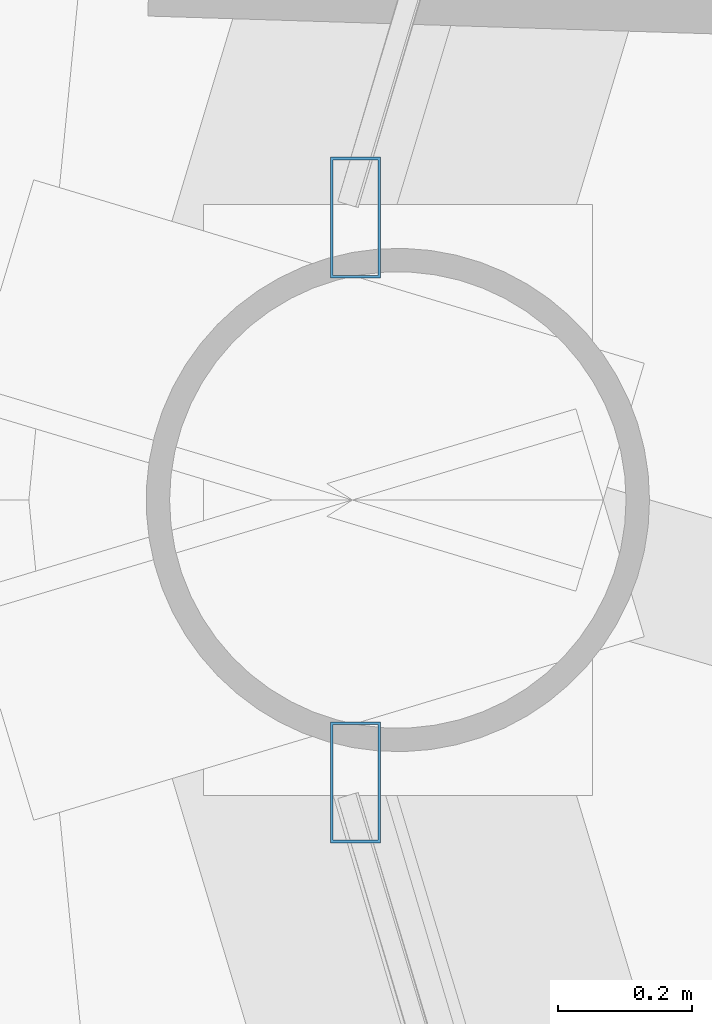
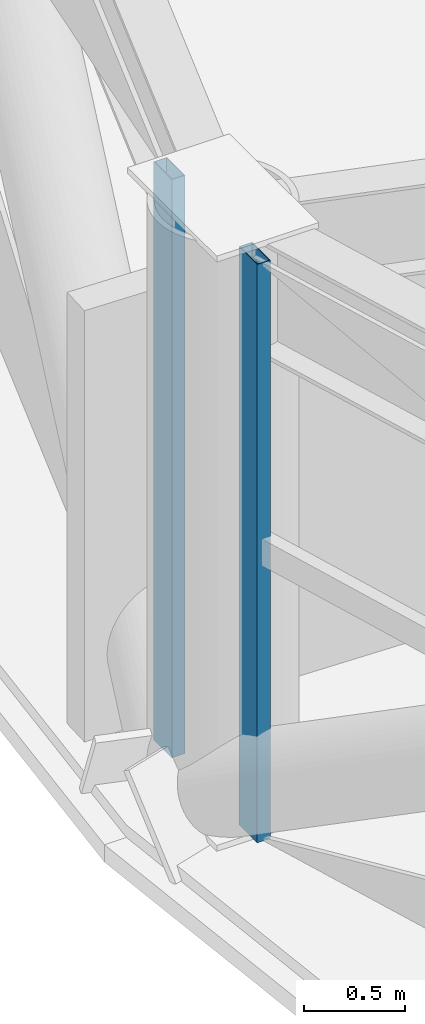
# One storey, part 6 of 30: 2 members, 2 elements without a shape of their own.
"""IFC4 building model written with IfcOpenShell, lengths in metres."""

from ifc_helpers import new_model, si_unit, direction, frame, origin, origin_2d, place, context, subcontext, project, spatial, hollow_rectangle, extrude, material, layer, layer_set, material_profile, profile_set, type_object, element, aggregate, save


model = new_model("IFC4")

# Units and contexts
model_context = context("Model", 3, precision=1e-05, world=origin(), true_north=direction((0.0, 1.0)))
body_context = subcontext(model_context, "Body", "Model", "MODEL_VIEW")
ifc_project = project(units=[si_unit("LENGTHUNIT", "METRE"), si_unit("AREAUNIT", "SQUARE_METRE"), si_unit("VOLUMEUNIT", "CUBIC_METRE"), si_unit("PLANEANGLEUNIT", "RADIAN"), si_unit("MASSUNIT", "GRAM", prefix="KILO")], contexts=[model_context])

# Site, building, storey
site_placement = place(None, origin())
site = spatial("IfcSite", under=ifc_project, at=site_placement, CompositionType="ELEMENT")
building_placement = place(site_placement, origin())
building = spatial("IfcBuilding", under=site, at=building_placement, Name="Vantalir Tower", CompositionType="ELEMENT")
storey_placement = place(building_placement, frame((0.0, 0.0, 119.699951171875)))
storey = spatial("IfcBuildingStorey", under=building, at=storey_placement, Name="L29", CompositionType="ELEMENT", Elevation=119.699951171875)

# Curtain wall, member
ifc_material_1 = material(Name="Champagne-silver PVDF aluminium and double-silver Low-E glass", Category="aluminium")
ifc_layer = layer(ifc_material_1, 0.199951171875)
ifc_layer_set = layer_set([ifc_layer], Name="Champagne-silver PVDF aluminium and double-silver Low-E glass")
curtain_wall_type = type_object("IfcCurtainWallType", Name="CW-DIAMOND-Z2", PredefinedType="USERDEFINED", material=ifc_layer_set)
curtain_wall_1_placement = place(storey_placement, origin())
curtain_wall_1 = element("IfcCurtainWall", 1, at=curtain_wall_1_placement, inside=storey, type_object=curtain_wall_type, Name="L29 Quilted Pyramid-Diamond Curtain Wall S06", ObjectType="UNITISED CURTAIN WALL", PredefinedType="USERDEFINED")
ifc_material_2 = material(Name="Champagne-silver PVDF aluminium 6063-T6", Category="aluminium")
ifc_material_profile = material_profile(ifc_material_2, hollow_rectangle(XDim=0.074951171875, YDim=0.179931640625, WallThickness=0.00390625, at=origin_2d()), Name="Champagne-silver PVDF aluminium 6063-T6")
ifc_profile_set = profile_set([ifc_material_profile], Name="Champagne-silver PVDF aluminium 6063-T6")
member_type = type_object("IfcMemberType", Name="CWM-180x75", PredefinedType="MULLION", material=ifc_profile_set)
member_1_placement = place(storey_placement, frame((6.096923828125, 25.4208984375, 0.045166015625), z_axis=(0.0, 0.0, 1.0), x_axis=(1.0, 0.0, 0.0)))
member_1 = element("IfcMember", 2, at=member_1_placement, type_object=member_type, Name="CW-L29-S06 Mullion 2", PredefinedType="MULLION", context=body_context, shape_type="SweptSolid", body=[
    extrude(hollow_rectangle(XDim=0.074951171875, YDim=0.179931640625, WallThickness=0.00390625, at=origin_2d()), origin(), (0.0, 0.0, 1.0), 3.47998046875),
])
aggregate(curtain_wall_1, [member_1])

curtain_wall_2_placement = place(storey_placement, origin())
curtain_wall_2 = element("IfcCurtainWall", 3, at=curtain_wall_2_placement, inside=storey, type_object=curtain_wall_type, Name="L29 Quilted Pyramid-Diamond Curtain Wall S07", ObjectType="UNITISED CURTAIN WALL", PredefinedType="USERDEFINED")
member_2_placement = place(storey_placement, frame((6.096923828125, 24.5791015625, 0.045166015625), z_axis=(0.0, 0.0, 1.0), x_axis=(1.0, 0.0, 0.0)))
member_2 = element("IfcMember", 4, at=member_2_placement, type_object=member_type, Name="CW-L29-S07 Mullion 1", PredefinedType="MULLION", context=body_context, shape_type="SweptSolid", body=[
    extrude(hollow_rectangle(XDim=0.074951171875, YDim=0.179931640625, WallThickness=0.00390625, at=origin_2d()), origin(), (0.0, 0.0, 1.0), 3.47998046875),
])
aggregate(curtain_wall_2, [member_2])

save(model, "model.ifc")
